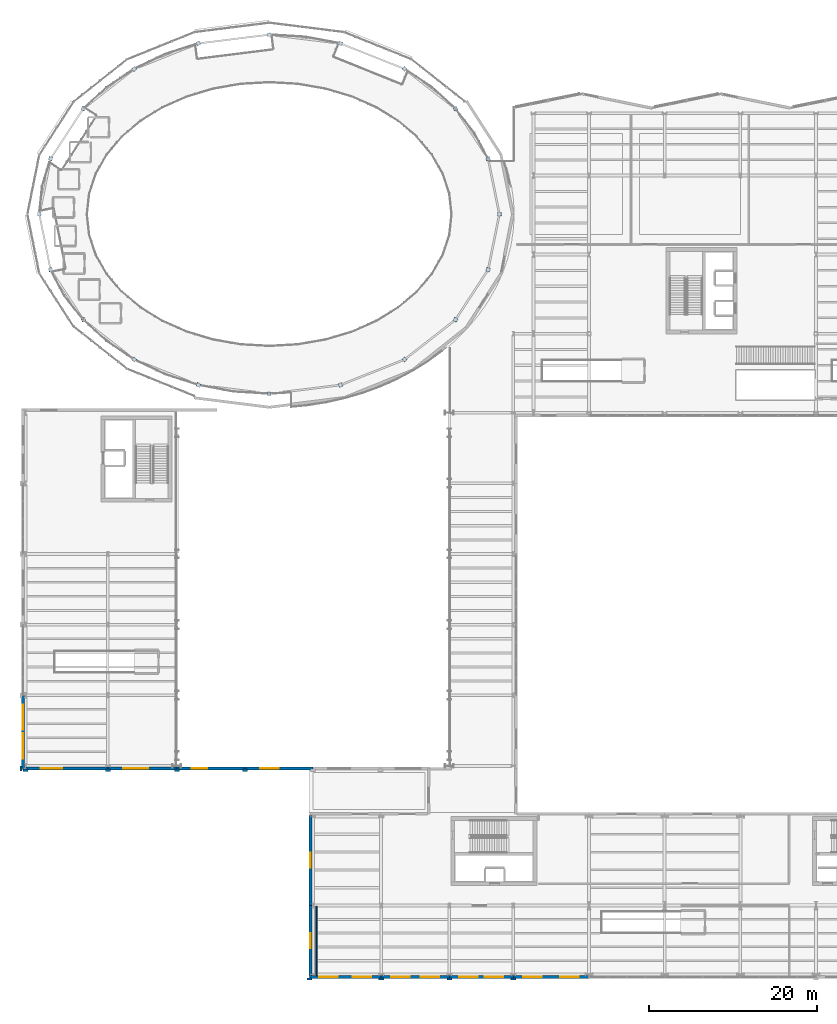
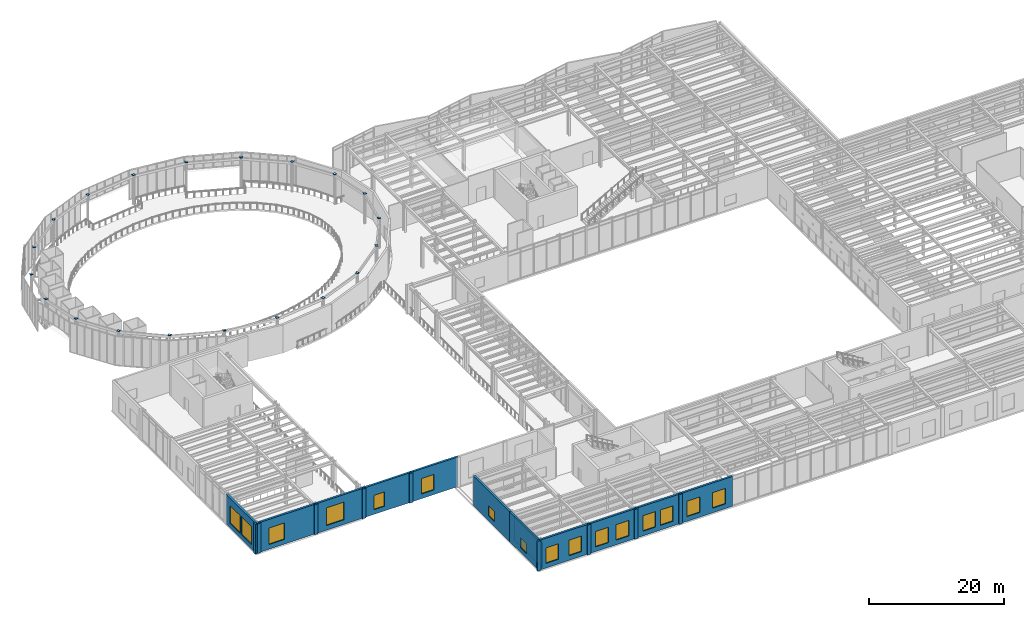
# One storey, part 73 of 98: 21 walls, 20 plates, 16 windows, 16 openings.
"""IFC4 building model written with IfcOpenShell, lengths in metres."""

from ifc_helpers import new_model, si_unit, direction, frame, frame_2d, origin, origin_2d, place, context, subcontext, project, spatial, rectangle, extrude, material, layer, layer_set, type_object, element, fill, save


model = new_model("IFC4")

# Units and contexts
model_context = context("Model", 3, precision=1e-05, world=origin(), true_north=direction((0.0, 1.0)))
body_context = subcontext(model_context, "Body", "Model", "MODEL_VIEW")
ifc_project = project(units=[si_unit("LENGTHUNIT", "METRE"), si_unit("AREAUNIT", "SQUARE_METRE"), si_unit("VOLUMEUNIT", "CUBIC_METRE"), si_unit("PLANEANGLEUNIT", "RADIAN"), si_unit("MASSUNIT", "GRAM", prefix="KILO")], contexts=[model_context])

# Site, building, storey
site_placement = place(None, origin())
site = spatial("IfcSite", under=ifc_project, at=site_placement, CompositionType="ELEMENT")
building_placement = place(site_placement, origin())
building = spatial("IfcBuilding", under=site, at=building_placement, Name="Sollismere Congress Hotel", CompositionType="ELEMENT")
storey_placement = place(building_placement, frame((0.0, 0.0, 5.39990234375)))
storey = spatial("IfcBuildingStorey", under=building, at=storey_placement, Name="L01", CompositionType="ELEMENT", Elevation=5.39990234375)

# Plates
ifc_material_1 = material(Name="Steel ASTM A572 Grade 50", Category="steel")
ifc_layer_1 = layer(ifc_material_1, 0.02490234375, Name="Steel ASTM A572 Grade 50")
ifc_layer_set_1 = layer_set([ifc_layer_1], Name="Steel ASTM A572 Grade 50")
plate_type = type_object("IfcPlateType", Name="PL-GS25", PredefinedType="USERDEFINED", material=ifc_layer_set_1)
for number, where, z_axis, x_axis, name in (
    (1, (56.35009765625, 90.39990234375, 5.400146484375), (0.0, 0.0, 1.0), (1.0, 0.0, 0.0), "Column end cap plate CP-002"),
    (2, (55.011474609375, 96.99755859375, 5.400146484375), (0.0, 0.0, 1.0), (0.969316774365, 0.245814952628, 0.0), "Column end cap plate CP-005"),
    (3, (51.126708984375, 102.94921875, 5.400146484375), (0.0, 0.0, 1.0), (0.869839554062, 0.493334724289, 0.0), "Column end cap plate CP-008"),
    (4, (45.075927734375, 107.672607421875, 5.400146484375), (0.0, 0.0, 1.0), (0.681359873953, 0.731948578909, 0.0), "Column end cap plate CP-011"),
    (5, (37.45166015625, 110.705078125, 5.400146484375), (0.0, 0.0, 1.0), (0.38429532266, 0.923210217113, 0.0), "Column end cap plate CP-014"),
    (6, (29.0, 111.75, 5.400146484375), (0.0, 0.0, 1.0), (0.0, 1.0, 0.0), "Column end cap plate CP-017"),
    (7, (20.54833984375, 110.705078125, 5.400146484375), (0.0, 0.0, 1.0), (-0.38429532266, 0.923210217113, 0.0), "Column end cap plate CP-020"),
    (8, (12.924072265625, 107.672607421875, 5.400146484375), (0.0, 0.0, 1.0), (-0.681359873953, 0.731948578909, 0.0), "Column end cap plate CP-023"),
    (9, (6.873291015625, 102.94921875, 5.400146484375), (0.0, 0.0, 1.0), (-0.869839554062, 0.493334724289, 0.0), "Column end cap plate CP-026"),
    (10, (2.988525390625, 96.99755859375, 5.400146484375), (0.0, 0.0, 1.0), (-0.969316774365, 0.245814952628, 0.0), "Column end cap plate CP-029"),
    (11, (1.64990234375, 90.39990234375, 5.400146484375), (0.0, 0.0, 1.0), (-1.0, 0.0, 0.0), "Column end cap plate CP-032"),
    (12, (2.988525390625, 83.802490234375, 5.400146484375), (0.0, 0.0, 1.0), (-0.969316774365, -0.245814952628, 0.0), "Column end cap plate CP-035"),
    (13, (6.873291015625, 77.850830078125, 5.400146484375), (0.0, 0.0, 1.0), (-0.869839554062, -0.493334724289, 0.0), "Column end cap plate CP-038"),
    (14, (12.924072265625, 73.12744140625, 5.400146484375), (0.0, 0.0, 1.0), (-0.681359873953, -0.731948578909, 0.0), "Column end cap plate CP-041"),
    (15, (20.54833984375, 70.094970703125, 5.400146484375), (0.0, 0.0, 1.0), (-0.38429532266, -0.923210217113, 0.0), "Column end cap plate CP-044"),
    (16, (29.0, 69.050048828125, 5.400146484375), (0.0, 0.0, 1.0), (0.0, -1.0, 0.0), "Column end cap plate CP-047"),
    (17, (37.45166015625, 70.094970703125, 5.400146484375), (0.0, 0.0, 1.0), (0.38429532266, -0.923210217113, 0.0), "Column end cap plate CP-050"),
    (18, (45.075927734375, 73.12744140625, 5.400146484375), (0.0, 0.0, 1.0), (0.681359873953, -0.731948578909, 0.0), "Column end cap plate CP-053"),
    (19, (51.126708984375, 77.850830078125, 5.400146484375), (0.0, 0.0, 1.0), (0.869839554062, -0.493334724289, 0.0), "Column end cap plate CP-056"),
    (20, (55.011474609375, 83.802490234375, 5.400146484375), (0.0, 0.0, 1.0), (0.969316774365, -0.245814952628, 0.0), "Column end cap plate CP-059"),
):
    element("IfcPlate", number, at=place(storey_placement, frame(where, z_axis=z_axis, x_axis=x_axis)), inside=storey, type_object=plate_type, Name=name, ObjectType="GUSSET PLATE", PredefinedType="USERDEFINED", context=body_context, shape_type="SweptSolid", body=[
        extrude(rectangle(XDim=0.446044921875, YDim=0.446044921875, at=origin_2d()), origin(), (0.0, 0.0, 1.0), 0.02490234375),
    ])

# Wall, openings, windows
ifc_material_2 = material(Name="Colorado Buff Sandstone and Limestone Backup C40/50", Category="masonry")
ifc_layer_2 = layer(ifc_material_2, 0.340087890625, Name="Colorado Buff Sandstone and Limestone Backup C40/50")
ifc_layer_set_2 = layer_set([ifc_layer_2], Name="Colorado Buff Sandstone and Limestone Backup C40/50")
wall_type_1 = type_object("IfcWallType", Name="WL-EXT340", PredefinedType="STANDARD", material=ifc_layer_set_2)
wall_1_placement = place(storey_placement, frame((-0.31005859375, 24.47998046875, 0.0), z_axis=(0.0, 0.0, 1.0), x_axis=(0.0, 1.0, 0.0)))
wall_1 = element("IfcWall", 21, at=wall_1_placement, inside=storey, type_object=wall_type_1, Name="Exterior wall EW-L01-118", PredefinedType="STANDARD", context=body_context, shape_type="SweptSolid", body=[
    extrude(rectangle(XDim=8.719970703125, YDim=0.340087890625, at=frame_2d((4.35986328125, 0.0))), origin(), (0.0, 0.0, 1.0), 5.400146484375),
])
opening_1_placement = place(wall_1_placement, frame((1.199951171875, 0.0, 0.85009765625)))
opening_1 = element("IfcOpeningElement", 22, at=opening_1_placement, cuts=wall_1, Name="Opening W-L01-110", PredefinedType="OPENING", context=body_context, shape_type="SweptSolid", body=[
    extrude(rectangle(XDim=3.0, YDim=3.199951171875, at=frame_2d((1.5, 1.60009765625))), frame((0.0, 0.179931640625, 0.0), z_axis=(0.0, -1.0, 0.0), x_axis=(1.0, 0.0, 0.0)), (0.0, 0.0, 1.0), 0.360107421875),
])
opening_2_placement = place(wall_1_placement, frame((4.60009765625, 0.0, 0.85009765625)))
opening_2 = element("IfcOpeningElement", 23, at=opening_2_placement, cuts=wall_1, Name="Opening W-L01-111", PredefinedType="OPENING", context=body_context, shape_type="SweptSolid", body=[
    extrude(rectangle(XDim=3.0, YDim=3.199951171875, at=frame_2d((1.5, 1.60009765625))), frame((0.0, 0.179931640625, 0.0), z_axis=(0.0, -1.0, 0.0), x_axis=(1.0, 0.0, 0.0)), (0.0, 0.0, 1.0), 0.360107421875),
])
ifc_material_3 = material(Name="Thermally Broken Bronze Aluminum & Low-E Glass", Category="aluminium")
window_type_1 = type_object("IfcWindowType", Name="WN-A300x320", PartitioningType="SINGLE_PANEL", PredefinedType="WINDOW", material=ifc_material_3)
window_1_placement = place(opening_1_placement, origin())
window_1 = element("IfcWindow", 24, at=window_1_placement, inside=storey, type_object=window_type_1, Name="WIN-W-L01-110", OverallHeight=3.199951171875, OverallWidth=3.0, PartitioningType="SINGLE_PANEL", PredefinedType="WINDOW", context=body_context, shape_type="SweptSolid", body=[
    extrude(rectangle(XDim=3.0, YDim=3.199951171875, at=frame_2d((1.5, 1.60009765625))), frame((0.0, 0.030029296875, 0.0), z_axis=(0.0, -1.0, 0.0), x_axis=(1.0, 0.0, 0.0)), (0.0, 0.0, 1.0), 0.06005859375),
])
fill(opening_1, window_1)
window_2_placement = place(opening_2_placement, origin())
window_2 = element("IfcWindow", 25, at=window_2_placement, inside=storey, type_object=window_type_1, Name="WIN-W-L01-111", OverallHeight=3.199951171875, OverallWidth=3.0, PartitioningType="SINGLE_PANEL", PredefinedType="WINDOW", context=body_context, shape_type="SweptSolid", body=[
    extrude(rectangle(XDim=3.0, YDim=3.199951171875, at=frame_2d((1.5, 1.60009765625))), frame((0.0, 0.030029296875, 0.0), z_axis=(0.0, -1.0, 0.0), x_axis=(1.0, 0.0, 0.0)), (0.0, 0.0, 1.0), 0.06005859375),
])
fill(opening_2, window_2)

# Wall, opening, window
wall_2_placement = place(storey_placement, frame((0.0, 24.489990234375, 0.0), z_axis=(0.0, 0.0, 1.0), x_axis=(1.0, 0.0, 0.0)))
wall_2 = element("IfcWall", 26, at=wall_2_placement, inside=storey, type_object=wall_type_1, Name="Exterior wall EW-L01-126", PredefinedType="STANDARD", context=body_context, shape_type="SweptSolid", body=[
    extrude(rectangle(XDim=9.800048828125, YDim=0.340087890625, at=frame_2d((4.89990234375, 0.0))), origin(), (0.0, 0.0, 1.0), 5.400146484375),
])
opening_3_placement = place(wall_2_placement, frame((1.800048828125, 0.0, 0.85009765625)))
opening_3 = element("IfcOpeningElement", 27, at=opening_3_placement, cuts=wall_2, Name="Opening W-L01-116", PredefinedType="OPENING", context=body_context, shape_type="SweptSolid", body=[
    extrude(rectangle(XDim=2.60009765625, YDim=3.0, at=frame_2d((1.300048828125, 1.5))), frame((0.0, 0.179931640625, 0.0), z_axis=(0.0, -1.0, 0.0), x_axis=(1.0, 0.0, 0.0)), (0.0, 0.0, 1.0), 0.360107421875),
])
window_type_2 = type_object("IfcWindowType", Name="WN-A260x300", PartitioningType="SINGLE_PANEL", PredefinedType="WINDOW", material=ifc_material_3)
window_3_placement = place(opening_3_placement, origin())
window_3 = element("IfcWindow", 28, at=window_3_placement, inside=storey, type_object=window_type_2, Name="WIN-W-L01-116", OverallHeight=3.0, OverallWidth=2.60009765625, PartitioningType="SINGLE_PANEL", PredefinedType="WINDOW", context=body_context, shape_type="SweptSolid", body=[
    extrude(rectangle(XDim=2.60009765625, YDim=3.0, at=frame_2d((1.300048828125, 1.5))), frame((0.0, 0.030029296875, 0.0), z_axis=(0.0, -1.0, 0.0), x_axis=(1.0, 0.0, 0.0)), (0.0, 0.0, 1.0), 0.06005859375),
])
fill(opening_3, window_3)

wall_3_placement = place(storey_placement, frame((9.800048828125, 24.489990234375, 0.0), z_axis=(0.0, 0.0, 1.0), x_axis=(1.0, 0.0, 0.0)))
wall_3 = element("IfcWall", 29, at=wall_3_placement, inside=storey, type_object=wall_type_1, Name="Exterior wall EW-L01-128", PredefinedType="STANDARD", context=body_context, shape_type="SweptSolid", body=[
    extrude(rectangle(XDim=8.199951171875, YDim=0.340087890625, at=frame_2d((4.10009765625, 0.0))), origin(), (0.0, 0.0, 1.0), 5.400146484375),
])
opening_4_placement = place(wall_3_placement, frame((1.800048828125, 0.0, 0.85009765625)))
opening_4 = element("IfcOpeningElement", 30, at=opening_4_placement, cuts=wall_3, Name="Opening W-L01-117", PredefinedType="OPENING", context=body_context, shape_type="SweptSolid", body=[
    extrude(rectangle(XDim=3.0, YDim=3.199951171875, at=frame_2d((1.5, 1.60009765625))), frame((0.0, 0.179931640625, 0.0), z_axis=(0.0, -1.0, 0.0), x_axis=(1.0, 0.0, 0.0)), (0.0, 0.0, 1.0), 0.360107421875),
])
window_4_placement = place(opening_4_placement, origin())
window_4 = element("IfcWindow", 31, at=window_4_placement, inside=storey, type_object=window_type_1, Name="WIN-W-L01-117", OverallHeight=3.199951171875, OverallWidth=3.0, PartitioningType="SINGLE_PANEL", PredefinedType="WINDOW", context=body_context, shape_type="SweptSolid", body=[
    extrude(rectangle(XDim=3.0, YDim=3.199951171875, at=frame_2d((1.5, 1.60009765625))), frame((0.0, 0.030029296875, 0.0), z_axis=(0.0, -1.0, 0.0), x_axis=(1.0, 0.0, 0.0)), (0.0, 0.0, 1.0), 0.06005859375),
])
fill(opening_4, window_4)

wall_4_placement = place(storey_placement, frame((18.0, 24.489990234375, 0.0), z_axis=(0.0, 0.0, 1.0), x_axis=(1.0, 0.0, 0.0)))
wall_4 = element("IfcWall", 32, at=wall_4_placement, inside=storey, type_object=wall_type_1, Name="Exterior wall EW-L01-130", PredefinedType="STANDARD", context=body_context, shape_type="SweptSolid", body=[
    extrude(rectangle(XDim=8.10009765625, YDim=0.340087890625, at=frame_2d((4.050048828125, 0.0))), origin(), (0.0, 0.0, 1.0), 5.400146484375),
])
opening_5_placement = place(wall_4_placement, frame((1.800048828125, 0.0, 0.85009765625)))
opening_5 = element("IfcOpeningElement", 33, at=opening_5_placement, cuts=wall_4, Name="Opening W-L01-118", PredefinedType="OPENING", context=body_context, shape_type="SweptSolid", body=[
    extrude(rectangle(XDim=1.800048828125, YDim=2.60009765625, at=frame_2d((0.89990234375, 1.300048828125))), frame((0.0, 0.179931640625, 0.0), z_axis=(0.0, -1.0, 0.0), x_axis=(1.0, 0.0, 0.0)), (0.0, 0.0, 1.0), 0.360107421875),
])
window_type_3 = type_object("IfcWindowType", Name="WN-A180x260", PartitioningType="SINGLE_PANEL", PredefinedType="WINDOW", material=ifc_material_3)
window_5_placement = place(opening_5_placement, origin())
window_5 = element("IfcWindow", 34, at=window_5_placement, inside=storey, type_object=window_type_3, Name="WIN-W-L01-118", OverallHeight=2.60009765625, OverallWidth=1.800048828125, PartitioningType="SINGLE_PANEL", PredefinedType="WINDOW", context=body_context, shape_type="SweptSolid", body=[
    extrude(rectangle(XDim=1.800048828125, YDim=2.60009765625, at=frame_2d((0.89990234375, 1.300048828125))), frame((0.0, 0.030029296875, 0.0), z_axis=(0.0, -1.0, 0.0), x_axis=(1.0, 0.0, 0.0)), (0.0, 0.0, 1.0), 0.06005859375),
])
fill(opening_5, window_5)

wall_5_placement = place(storey_placement, frame((26.10009765625, 24.489990234375, 0.0), z_axis=(0.0, 0.0, 1.0), x_axis=(1.0, 0.0, 0.0)))
wall_5 = element("IfcWall", 35, at=wall_5_placement, inside=storey, type_object=wall_type_1, Name="Exterior wall EW-L01-132", PredefinedType="STANDARD", context=body_context, shape_type="SweptSolid", body=[
    extrude(rectangle(XDim=8.099853515625, YDim=0.340087890625, at=frame_2d((4.0498046875, 0.0))), origin(), (0.0, 0.0, 1.0), 5.400146484375),
])
opening_6_placement = place(wall_5_placement, frame((1.800048828125, 0.0, 0.85009765625)))
opening_6 = element("IfcOpeningElement", 36, at=opening_6_placement, cuts=wall_5, Name="Opening W-L01-119", PredefinedType="OPENING", context=body_context, shape_type="SweptSolid", body=[
    extrude(rectangle(XDim=2.199951171875, YDim=2.800048828125, at=frame_2d((1.10009765625, 1.39990234375))), frame((0.0, 0.179931640625, 0.0), z_axis=(0.0, -1.0, 0.0), x_axis=(1.0, 0.0, 0.0)), (0.0, 0.0, 1.0), 0.360107421875),
])
window_type_4 = type_object("IfcWindowType", Name="WN-A220x280", PartitioningType="SINGLE_PANEL", PredefinedType="WINDOW", material=ifc_material_3)
window_6_placement = place(opening_6_placement, origin())
window_6 = element("IfcWindow", 37, at=window_6_placement, inside=storey, type_object=window_type_4, Name="WIN-W-L01-119", OverallHeight=2.800048828125, OverallWidth=2.199951171875, PartitioningType="SINGLE_PANEL", PredefinedType="WINDOW", context=body_context, shape_type="SweptSolid", body=[
    extrude(rectangle(XDim=2.199951171875, YDim=2.800048828125, at=frame_2d((1.10009765625, 1.39990234375))), frame((0.0, 0.030029296875, 0.0), z_axis=(0.0, -1.0, 0.0), x_axis=(1.0, 0.0, 0.0)), (0.0, 0.0, 1.0), 0.06005859375),
])
fill(opening_6, window_6)

# Wall, openings, windows
wall_6_placement = place(storey_placement, frame((33.75, -0.31005859375, 0.0), z_axis=(0.0, 0.0, 1.0), x_axis=(1.0, 0.0, 0.0)))
wall_6 = element("IfcWall", 38, at=wall_6_placement, inside=storey, type_object=wall_type_1, Name="Exterior wall EW-L01-273", PredefinedType="STANDARD", context=body_context, shape_type="SweptSolid", body=[
    extrude(rectangle(XDim=8.550048828125, YDim=0.340087890625, at=frame_2d((4.27490234375, 0.0))), origin(), (0.0, 0.0, 1.0), 5.400146484375),
])
opening_7_placement = place(wall_6_placement, frame((1.199951171875, 0.0, 0.85009765625)))
opening_7 = element("IfcOpeningElement", 39, at=opening_7_placement, cuts=wall_6, Name="Opening W-L01-218", PredefinedType="OPENING", context=body_context, shape_type="SweptSolid", body=[
    extrude(rectangle(XDim=2.199951171875, YDim=2.800048828125, at=frame_2d((1.10009765625, 1.39990234375))), frame((0.0, 0.179931640625, 0.0), z_axis=(0.0, -1.0, 0.0), x_axis=(1.0, 0.0, 0.0)), (0.0, 0.0, 1.0), 0.360107421875),
])
opening_8_placement = place(wall_6_placement, frame((5.14990234375, 0.0, 0.85009765625)))
opening_8 = element("IfcOpeningElement", 40, at=opening_8_placement, cuts=wall_6, Name="Opening W-L01-219", PredefinedType="OPENING", context=body_context, shape_type="SweptSolid", body=[
    extrude(rectangle(XDim=2.199951171875, YDim=2.800048828125, at=frame_2d((1.10009765625, 1.39990234375))), frame((0.0, 0.179931640625, 0.0), z_axis=(0.0, -1.0, 0.0), x_axis=(1.0, 0.0, 0.0)), (0.0, 0.0, 1.0), 0.360107421875),
])
window_7_placement = place(opening_7_placement, origin())
window_7 = element("IfcWindow", 41, at=window_7_placement, inside=storey, type_object=window_type_4, Name="WIN-W-L01-218", OverallHeight=2.800048828125, OverallWidth=2.199951171875, PartitioningType="SINGLE_PANEL", PredefinedType="WINDOW", context=body_context, shape_type="SweptSolid", body=[
    extrude(rectangle(XDim=2.199951171875, YDim=2.800048828125, at=frame_2d((1.10009765625, 1.39990234375))), frame((0.0, 0.030029296875, 0.0), z_axis=(0.0, -1.0, 0.0), x_axis=(1.0, 0.0, 0.0)), (0.0, 0.0, 1.0), 0.06005859375),
])
fill(opening_7, window_7)
window_8_placement = place(opening_8_placement, origin())
window_8 = element("IfcWindow", 42, at=window_8_placement, inside=storey, type_object=window_type_4, Name="WIN-W-L01-219", OverallHeight=2.800048828125, OverallWidth=2.199951171875, PartitioningType="SINGLE_PANEL", PredefinedType="WINDOW", context=body_context, shape_type="SweptSolid", body=[
    extrude(rectangle(XDim=2.199951171875, YDim=2.800048828125, at=frame_2d((1.10009765625, 1.39990234375))), frame((0.0, 0.030029296875, 0.0), z_axis=(0.0, -1.0, 0.0), x_axis=(1.0, 0.0, 0.0)), (0.0, 0.0, 1.0), 0.06005859375),
])
fill(opening_8, window_8)

wall_7_placement = place(storey_placement, frame((42.300048828125, -0.31005859375, 0.0), z_axis=(0.0, 0.0, 1.0), x_axis=(1.0, 0.0, 0.0)))
wall_7 = element("IfcWall", 43, at=wall_7_placement, inside=storey, type_object=wall_type_1, Name="Exterior wall EW-L01-275", PredefinedType="STANDARD", context=body_context, shape_type="SweptSolid", body=[
    extrude(rectangle(XDim=8.099853515625, YDim=0.340087890625, at=frame_2d((4.0498046875, 0.0))), origin(), (0.0, 0.0, 1.0), 5.400146484375),
])
opening_9_placement = place(wall_7_placement, frame((1.199951171875, 0.0, 0.85009765625)))
opening_9 = element("IfcOpeningElement", 44, at=opening_9_placement, cuts=wall_7, Name="Opening W-L01-220", PredefinedType="OPENING", context=body_context, shape_type="SweptSolid", body=[
    extrude(rectangle(XDim=2.199951171875, YDim=2.800048828125, at=frame_2d((1.10009765625, 1.39990234375))), frame((0.0, 0.179931640625, 0.0), z_axis=(0.0, -1.0, 0.0), x_axis=(1.0, 0.0, 0.0)), (0.0, 0.0, 1.0), 0.360107421875),
])
opening_10_placement = place(wall_7_placement, frame((4.699951171875, 0.0, 0.85009765625)))
opening_10 = element("IfcOpeningElement", 45, at=opening_10_placement, cuts=wall_7, Name="Opening W-L01-221", PredefinedType="OPENING", context=body_context, shape_type="SweptSolid", body=[
    extrude(rectangle(XDim=2.199951171875, YDim=2.800048828125, at=frame_2d((1.10009765625, 1.39990234375))), frame((0.0, 0.179931640625, 0.0), z_axis=(0.0, -1.0, 0.0), x_axis=(1.0, 0.0, 0.0)), (0.0, 0.0, 1.0), 0.360107421875),
])
window_9_placement = place(opening_9_placement, origin())
window_9 = element("IfcWindow", 46, at=window_9_placement, inside=storey, type_object=window_type_4, Name="WIN-W-L01-220", OverallHeight=2.800048828125, OverallWidth=2.199951171875, PartitioningType="SINGLE_PANEL", PredefinedType="WINDOW", context=body_context, shape_type="SweptSolid", body=[
    extrude(rectangle(XDim=2.199951171875, YDim=2.800048828125, at=frame_2d((1.10009765625, 1.39990234375))), frame((0.0, 0.030029296875, 0.0), z_axis=(0.0, -1.0, 0.0), x_axis=(1.0, 0.0, 0.0)), (0.0, 0.0, 1.0), 0.06005859375),
])
fill(opening_9, window_9)
window_10_placement = place(opening_10_placement, origin())
window_10 = element("IfcWindow", 47, at=window_10_placement, inside=storey, type_object=window_type_4, Name="WIN-W-L01-221", OverallHeight=2.800048828125, OverallWidth=2.199951171875, PartitioningType="SINGLE_PANEL", PredefinedType="WINDOW", context=body_context, shape_type="SweptSolid", body=[
    extrude(rectangle(XDim=2.199951171875, YDim=2.800048828125, at=frame_2d((1.10009765625, 1.39990234375))), frame((0.0, 0.030029296875, 0.0), z_axis=(0.0, -1.0, 0.0), x_axis=(1.0, 0.0, 0.0)), (0.0, 0.0, 1.0), 0.06005859375),
])
fill(opening_10, window_10)

wall_8_placement = place(storey_placement, frame((50.39990234375, -0.31005859375, 0.0), z_axis=(0.0, 0.0, 1.0), x_axis=(1.0, 0.0, 0.0)))
wall_8 = element("IfcWall", 48, at=wall_8_placement, inside=storey, type_object=wall_type_1, Name="Exterior wall EW-L01-277", PredefinedType="STANDARD", context=body_context, shape_type="SweptSolid", body=[
    extrude(rectangle(XDim=7.60009765625, YDim=0.340087890625, at=frame_2d((3.800048828125, 0.0))), origin(), (0.0, 0.0, 1.0), 5.400146484375),
])
opening_11_placement = place(wall_8_placement, frame((1.199951171875, 0.0, 0.85009765625)))
opening_11 = element("IfcOpeningElement", 49, at=opening_11_placement, cuts=wall_8, Name="Opening W-L01-222", PredefinedType="OPENING", context=body_context, shape_type="SweptSolid", body=[
    extrude(rectangle(XDim=2.199951171875, YDim=2.800048828125, at=frame_2d((1.10009765625, 1.39990234375))), frame((0.0, 0.179931640625, 0.0), z_axis=(0.0, -1.0, 0.0), x_axis=(1.0, 0.0, 0.0)), (0.0, 0.0, 1.0), 0.360107421875),
])
opening_12_placement = place(wall_8_placement, frame((4.199951171875, 0.0, 0.85009765625)))
opening_12 = element("IfcOpeningElement", 50, at=opening_12_placement, cuts=wall_8, Name="Opening W-L01-223", PredefinedType="OPENING", context=body_context, shape_type="SweptSolid", body=[
    extrude(rectangle(XDim=2.199951171875, YDim=2.800048828125, at=frame_2d((1.10009765625, 1.39990234375))), frame((0.0, 0.179931640625, 0.0), z_axis=(0.0, -1.0, 0.0), x_axis=(1.0, 0.0, 0.0)), (0.0, 0.0, 1.0), 0.360107421875),
])
window_11_placement = place(opening_11_placement, origin())
window_11 = element("IfcWindow", 51, at=window_11_placement, inside=storey, type_object=window_type_4, Name="WIN-W-L01-222", OverallHeight=2.800048828125, OverallWidth=2.199951171875, PartitioningType="SINGLE_PANEL", PredefinedType="WINDOW", context=body_context, shape_type="SweptSolid", body=[
    extrude(rectangle(XDim=2.199951171875, YDim=2.800048828125, at=frame_2d((1.10009765625, 1.39990234375))), frame((0.0, 0.030029296875, 0.0), z_axis=(0.0, -1.0, 0.0), x_axis=(1.0, 0.0, 0.0)), (0.0, 0.0, 1.0), 0.06005859375),
])
fill(opening_11, window_11)
window_12_placement = place(opening_12_placement, origin())
window_12 = element("IfcWindow", 52, at=window_12_placement, inside=storey, type_object=window_type_4, Name="WIN-W-L01-223", OverallHeight=2.800048828125, OverallWidth=2.199951171875, PartitioningType="SINGLE_PANEL", PredefinedType="WINDOW", context=body_context, shape_type="SweptSolid", body=[
    extrude(rectangle(XDim=2.199951171875, YDim=2.800048828125, at=frame_2d((1.10009765625, 1.39990234375))), frame((0.0, 0.030029296875, 0.0), z_axis=(0.0, -1.0, 0.0), x_axis=(1.0, 0.0, 0.0)), (0.0, 0.0, 1.0), 0.06005859375),
])
fill(opening_12, window_12)

wall_9_placement = place(storey_placement, frame((58.0, -0.31005859375, 0.0), z_axis=(0.0, 0.0, 1.0), x_axis=(1.0, 0.0, 0.0)))
wall_9 = element("IfcWall", 53, at=wall_9_placement, inside=storey, type_object=wall_type_1, Name="Exterior wall EW-L01-279", PredefinedType="STANDARD", context=body_context, shape_type="SweptSolid", body=[
    extrude(rectangle(XDim=9.0, YDim=0.340087890625, at=frame_2d((4.5, 0.0))), origin(), (0.0, 0.0, 1.0), 5.400146484375),
])
opening_13_placement = place(wall_9_placement, frame((1.199951171875, 0.0, 0.85009765625)))
opening_13 = element("IfcOpeningElement", 54, at=opening_13_placement, cuts=wall_9, Name="Opening W-L01-224", PredefinedType="OPENING", context=body_context, shape_type="SweptSolid", body=[
    extrude(rectangle(XDim=2.199951171875, YDim=2.800048828125, at=frame_2d((1.10009765625, 1.39990234375))), frame((0.0, 0.179931640625, 0.0), z_axis=(0.0, -1.0, 0.0), x_axis=(1.0, 0.0, 0.0)), (0.0, 0.0, 1.0), 0.360107421875),
])
opening_14_placement = place(wall_9_placement, frame((5.60009765625, 0.0, 0.85009765625)))
opening_14 = element("IfcOpeningElement", 55, at=opening_14_placement, cuts=wall_9, Name="Opening W-L01-225", PredefinedType="OPENING", context=body_context, shape_type="SweptSolid", body=[
    extrude(rectangle(XDim=2.199951171875, YDim=2.800048828125, at=frame_2d((1.10009765625, 1.39990234375))), frame((0.0, 0.179931640625, 0.0), z_axis=(0.0, -1.0, 0.0), x_axis=(1.0, 0.0, 0.0)), (0.0, 0.0, 1.0), 0.360107421875),
])
window_13_placement = place(opening_13_placement, origin())
window_13 = element("IfcWindow", 56, at=window_13_placement, inside=storey, type_object=window_type_4, Name="WIN-W-L01-224", OverallHeight=2.800048828125, OverallWidth=2.199951171875, PartitioningType="SINGLE_PANEL", PredefinedType="WINDOW", context=body_context, shape_type="SweptSolid", body=[
    extrude(rectangle(XDim=2.199951171875, YDim=2.800048828125, at=frame_2d((1.10009765625, 1.39990234375))), frame((0.0, 0.030029296875, 0.0), z_axis=(0.0, -1.0, 0.0), x_axis=(1.0, 0.0, 0.0)), (0.0, 0.0, 1.0), 0.06005859375),
])
fill(opening_13, window_13)
window_14_placement = place(opening_14_placement, origin())
window_14 = element("IfcWindow", 57, at=window_14_placement, inside=storey, type_object=window_type_4, Name="WIN-W-L01-225", OverallHeight=2.800048828125, OverallWidth=2.199951171875, PartitioningType="SINGLE_PANEL", PredefinedType="WINDOW", context=body_context, shape_type="SweptSolid", body=[
    extrude(rectangle(XDim=2.199951171875, YDim=2.800048828125, at=frame_2d((1.10009765625, 1.39990234375))), frame((0.0, 0.030029296875, 0.0), z_axis=(0.0, -1.0, 0.0), x_axis=(1.0, 0.0, 0.0)), (0.0, 0.0, 1.0), 0.06005859375),
])
fill(opening_14, window_14)

# Wall, opening, window
wall_10_placement = place(storey_placement, frame((33.889892578125, 8.199951171875, 0.0), z_axis=(0.0, 0.0, 1.0), x_axis=(0.0, -1.0, 0.0)))
wall_10 = element("IfcWall", 58, at=wall_10_placement, inside=storey, type_object=wall_type_1, Name="Exterior wall EW-L01-323", PredefinedType="STANDARD", context=body_context, shape_type="SweptSolid", body=[
    extrude(rectangle(XDim=8.337890625, YDim=0.340087890625, at=frame_2d((4.1689453125, 0.0))), origin(), (0.0, 0.0, 1.0), 5.400146484375),
])
opening_15_placement = place(wall_10_placement, frame((3.26904296875, 0.0, 0.8798828125)))
opening_15 = element("IfcOpeningElement", 59, at=opening_15_placement, cuts=wall_10, Name="Opening W-L01-258", PredefinedType="OPENING", context=body_context, shape_type="SweptSolid", body=[
    extrude(rectangle(XDim=1.800048828125, YDim=1.800048828125, at=frame_2d((0.89990234375, 0.89990234375))), frame((0.0, 0.179931640625, 0.0), z_axis=(0.0, -1.0, 0.0), x_axis=(1.0, 0.0, 0.0)), (0.0, 0.0, 1.0), 0.360107421875),
])
window_type_5 = type_object("IfcWindowType", Name="WN-P180x180", PartitioningType="SINGLE_PANEL", PredefinedType="WINDOW", material=ifc_material_3)
window_15_placement = place(opening_15_placement, origin())
window_15 = element("IfcWindow", 60, at=window_15_placement, inside=storey, type_object=window_type_5, Name="WIN-W-L01-258", OverallHeight=1.800048828125, OverallWidth=1.800048828125, PartitioningType="SINGLE_PANEL", PredefinedType="WINDOW", context=body_context, shape_type="SweptSolid", body=[
    extrude(rectangle(XDim=1.800048828125, YDim=1.800048828125, at=frame_2d((0.89990234375, 0.89990234375))), frame((0.0, 0.030029296875, 0.0), z_axis=(0.0, -1.0, 0.0), x_axis=(1.0, 0.0, 0.0)), (0.0, 0.0, 1.0), 0.06005859375),
])
fill(opening_15, window_15)

wall_11_placement = place(storey_placement, frame((33.889892578125, 18.93798828125, 0.0), z_axis=(0.0, 0.0, 1.0), x_axis=(0.0, -1.0, 0.0)))
wall_11 = element("IfcWall", 61, at=wall_11_placement, inside=storey, type_object=wall_type_1, Name="Exterior wall EW-L01-324", PredefinedType="STANDARD", context=body_context, shape_type="SweptSolid", body=[
    extrude(rectangle(XDim=10.738037109375, YDim=0.340087890625, at=frame_2d((5.369140625, 0.0))), origin(), (0.0, 0.0, 1.0), 5.400146484375),
])
opening_16_placement = place(wall_11_placement, frame((4.468994140625, 0.0, 0.8798828125)))
opening_16 = element("IfcOpeningElement", 62, at=opening_16_placement, cuts=wall_11, Name="Opening W-L01-259", PredefinedType="OPENING", context=body_context, shape_type="SweptSolid", body=[
    extrude(rectangle(XDim=1.800048828125, YDim=1.800048828125, at=frame_2d((0.89990234375, 0.89990234375))), frame((0.0, 0.179931640625, 0.0), z_axis=(0.0, -1.0, 0.0), x_axis=(1.0, 0.0, 0.0)), (0.0, 0.0, 1.0), 0.360107421875),
])
window_16_placement = place(opening_16_placement, origin())
window_16 = element("IfcWindow", 63, at=window_16_placement, inside=storey, type_object=window_type_5, Name="WIN-W-L01-259", OverallHeight=1.800048828125, OverallWidth=1.800048828125, PartitioningType="SINGLE_PANEL", PredefinedType="WINDOW", context=body_context, shape_type="SweptSolid", body=[
    extrude(rectangle(XDim=1.800048828125, YDim=1.800048828125, at=frame_2d((0.89990234375, 0.89990234375))), frame((0.0, 0.030029296875, 0.0), z_axis=(0.0, -1.0, 0.0), x_axis=(1.0, 0.0, 0.0)), (0.0, 0.0, 1.0), 0.06005859375),
])
fill(opening_16, window_16)

# Walls
ifc_material_4 = material(Name="Carved Travertine Pilaster & Frieze Assembly", Category="masonry")
ifc_layer_3 = layer(ifc_material_4, 0.260009765625, Name="Carved Travertine Pilaster & Frieze Assembly")
ifc_layer_set_3 = layer_set([ifc_layer_3], Name="Carved Travertine Pilaster & Frieze Assembly")
wall_type_2 = type_object("IfcWallType", Name="WL-PIL280", PredefinedType="ELEMENTEDWALL", material=ifc_layer_set_3)
for number, where, z_axis, x_axis, name in (
    (64, (-0.52001953125, 24.179931640625, 0.0), (0.0, 0.0, 1.0), (0.0, 1.0, 0.0), "Exterior wall EW-L01-119"),
    (65, (-0.300048828125, 24.280029296875, 0.0), (0.0, 0.0, 1.0), (1.0, 0.0, 0.0), "Exterior wall EW-L01-127"),
    (66, (9.5, 24.280029296875, 0.0), (0.0, 0.0, 1.0), (1.0, 0.0, 0.0), "Exterior wall EW-L01-129"),
    (67, (17.699951171875, 24.280029296875, 0.0), (0.0, 0.0, 1.0), (1.0, 0.0, 0.0), "Exterior wall EW-L01-131"),
):
    element("IfcWall", number, at=place(storey_placement, frame(where, z_axis=z_axis, x_axis=x_axis)), inside=storey, type_object=wall_type_2, Name=name, PredefinedType="ELEMENTEDWALL", context=body_context, shape_type="SweptSolid", body=[
        extrude(rectangle(XDim=0.60009765625, YDim=0.260009765625, at=frame_2d((0.300048828125, 0.0))), origin(), (0.0, 0.0, 1.0), 5.400146484375),
    ])
wall_12_placement = place(storey_placement, frame((25.800048828125, 24.280029296875, 0.0), z_axis=(0.0, 0.0, 1.0), x_axis=(1.0, 0.0, 0.0)))
element("IfcWall", 68, at=wall_12_placement, inside=storey, type_object=wall_type_2, Name="Exterior wall EW-L01-133", PredefinedType="ELEMENTEDWALL", context=body_context, shape_type="SweptSolid", body=[
    extrude(rectangle(XDim=0.599853515625, YDim=0.260009765625, at=frame_2d((0.2998046875, 0.0))), origin(), (0.0, 0.0, 1.0), 5.400146484375),
])
for number, where, z_axis, x_axis, name in (
    (69, (33.449951171875, -0.52001953125, 0.0), (0.0, 0.0, 1.0), (1.0, 0.0, 0.0), "Exterior wall EW-L01-274"),
    (70, (42.0, -0.52001953125, 0.0), (0.0, 0.0, 1.0), (1.0, 0.0, 0.0), "Exterior wall EW-L01-276"),
):
    element("IfcWall", number, at=place(storey_placement, frame(where, z_axis=z_axis, x_axis=x_axis)), inside=storey, type_object=wall_type_2, Name=name, PredefinedType="ELEMENTEDWALL", context=body_context, shape_type="SweptSolid", body=[
        extrude(rectangle(XDim=0.60009765625, YDim=0.260009765625, at=frame_2d((0.300048828125, 0.0))), origin(), (0.0, 0.0, 1.0), 5.400146484375),
    ])
wall_13_placement = place(storey_placement, frame((50.10009765625, -0.52001953125, 0.0), z_axis=(0.0, 0.0, 1.0), x_axis=(1.0, 0.0, 0.0)))
element("IfcWall", 71, at=wall_13_placement, inside=storey, type_object=wall_type_2, Name="Exterior wall EW-L01-278", PredefinedType="ELEMENTEDWALL", context=body_context, shape_type="SweptSolid", body=[
    extrude(rectangle(XDim=0.599853515625, YDim=0.260009765625, at=frame_2d((0.2998046875, 0.0))), origin(), (0.0, 0.0, 1.0), 5.400146484375),
])
wall_14_placement = place(storey_placement, frame((57.699951171875, -0.52001953125, 0.0), z_axis=(0.0, 0.0, 1.0), x_axis=(1.0, 0.0, 0.0)))
element("IfcWall", 72, at=wall_14_placement, inside=storey, type_object=wall_type_2, Name="Exterior wall EW-L01-280", PredefinedType="ELEMENTEDWALL", context=body_context, shape_type="SweptSolid", body=[
    extrude(rectangle(XDim=0.60009765625, YDim=0.260009765625, at=frame_2d((0.300048828125, 0.0))), origin(), (0.0, 0.0, 1.0), 5.400146484375),
])
ifc_material_5 = material(Name="Fire-Rated Gypsum Partition")
ifc_layer_4 = layer(ifc_material_5, 0.139892578125, Name="Fire-Rated Gypsum Partition")
ifc_layer_set_4 = layer_set([ifc_layer_4], Name="Fire-Rated Gypsum Partition")
wall_type_3 = type_object("IfcWallType", Name="WL-PRT140R", PredefinedType="PARTITIONING", material=ifc_layer_set_4)
wall_15_placement = place(storey_placement, frame((34.60009765625, -0.125, 0.0), z_axis=(0.0, 0.0, 1.0), x_axis=(0.0, 1.0, 0.0)))
element("IfcWall", 73, at=wall_15_placement, inside=storey, type_object=wall_type_3, Name="Interior wall IW-L01-0908", PredefinedType="PARTITIONING", context=body_context, shape_type="SweptSolid", body=[
    extrude(rectangle(XDim=8.242919921875, YDim=0.139892578125, at=frame_2d((4.12158203125, 0.0))), origin(), (0.0, 0.0, 1.0), 4.485107421875),
])

save(model, "model.ifc")
